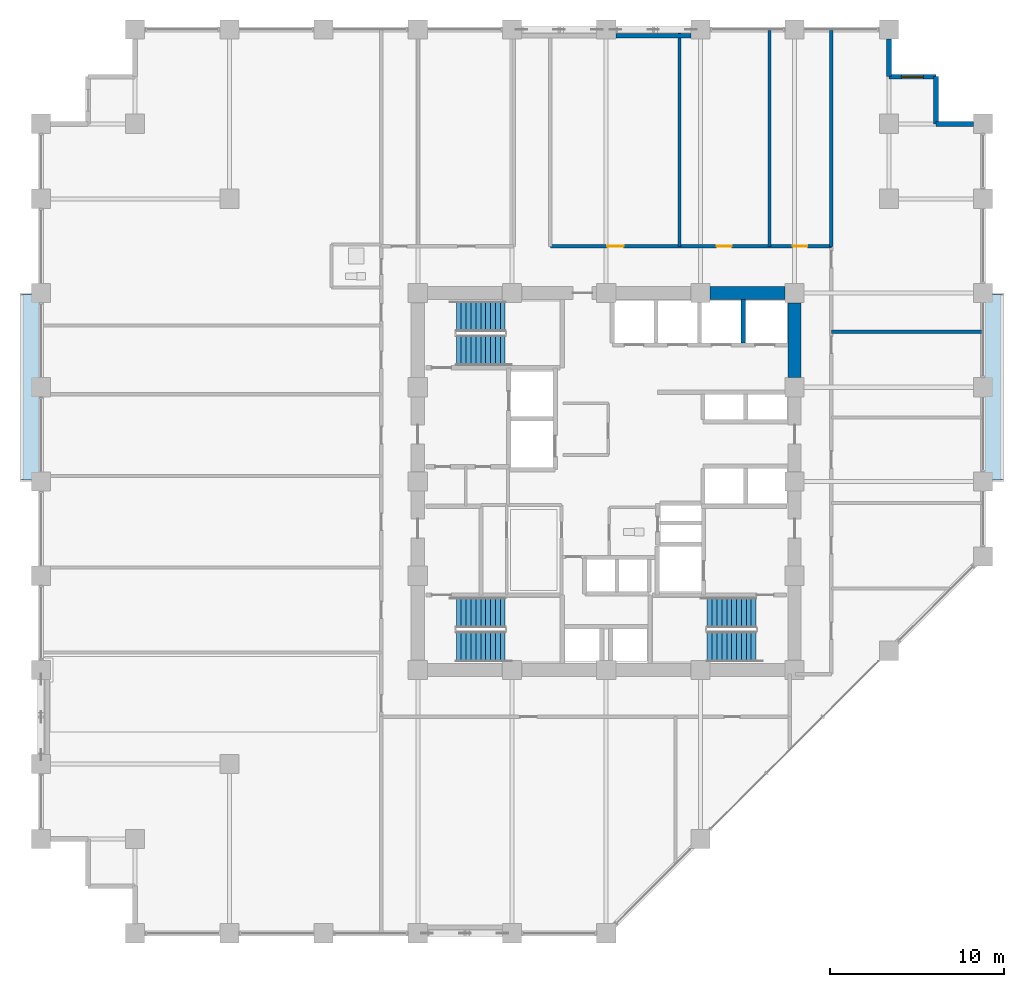
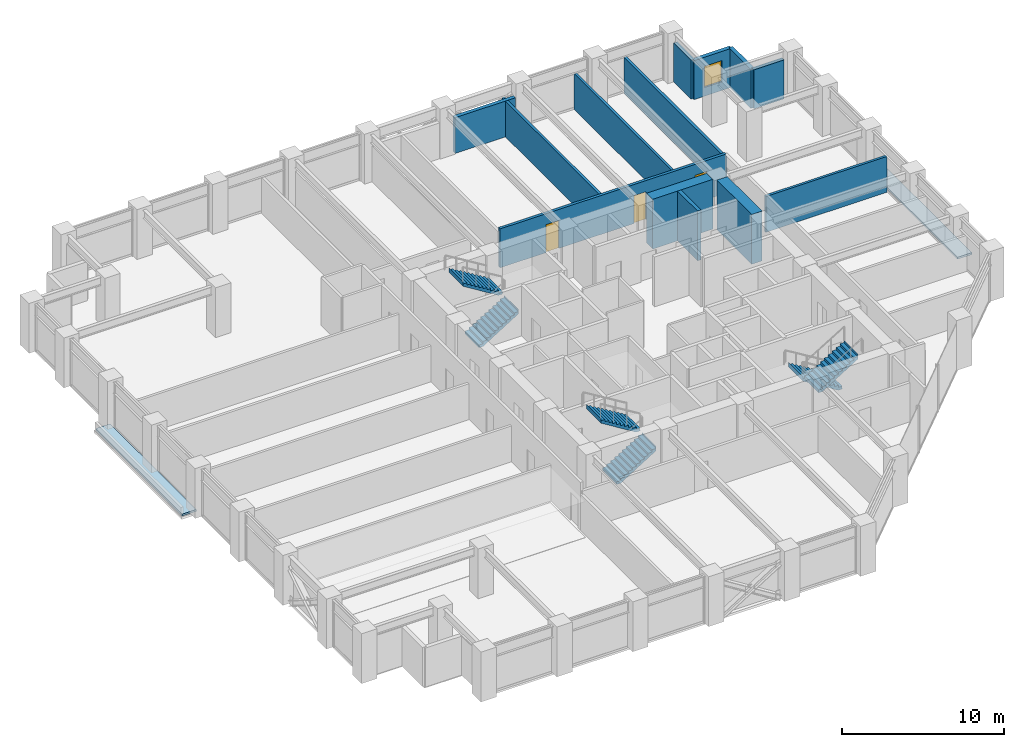
# One storey, part 21 of 24: 13 walls, 6 stair flights, 3 doors, 2 roofs, 1 window, 4 openings, 3 elements without a shape of their own.
"""IFC4 building model written with IfcOpenShell, lengths in metres."""

from ifc_helpers import new_model, si_unit, direction, frame, frame_2d, origin, place, context, subcontext, project, spatial, polyline, rectangle, outline, extrude, material, layer, layer_set, type_object, element, fill, aggregate, save


model = new_model("IFC4")

# Units and contexts
model_context = context("Model", 3, precision=1e-05, world=origin(), true_north=direction((0.0, 1.0)))
body_context = subcontext(model_context, "Body", "Model", "MODEL_VIEW")
ifc_project = project(units=[si_unit("LENGTHUNIT", "METRE"), si_unit("AREAUNIT", "SQUARE_METRE"), si_unit("VOLUMEUNIT", "CUBIC_METRE"), si_unit("PLANEANGLEUNIT", "RADIAN"), si_unit("MASSUNIT", "GRAM", prefix="KILO")], contexts=[model_context])

# Site, building, storey
site_placement = place(None, origin())
site = spatial("IfcSite", under=ifc_project, at=site_placement, CompositionType="ELEMENT")
building_placement = place(site_placement, origin())
building = spatial("IfcBuilding", under=site, at=building_placement, Name="Surkhivell Harbour Commons", CompositionType="ELEMENT")
storey_placement = place(building_placement, frame((0.0, 0.0, 105.75)))
storey = spatial("IfcBuildingStorey", under=building, at=storey_placement, Name="L27", CompositionType="ELEMENT", Elevation=105.75)

# Walls
ifc_material_1 = material(Name="Concrete C60/75", Category="concrete")
ifc_layer_1 = layer(ifc_material_1, 0.75)
ifc_layer_set_1 = layer_set([ifc_layer_1], Name="Concrete C60/75")
wall_type_1 = type_object("IfcWallType", Name="WAL-CORE-750", PredefinedType="SHEAR", material=ifc_layer_set_1)
for number, where, z_axis, x_axis, name in (
    (1, (5.9599609375, 10.800048828125, 0.0), (0.0, 0.0, 1.0), (1.0, 0.0, 0.0), "L27 Core Shear Wall North 4"),
    (2, (10.800048828125, 5.9599609375, 0.0), (0.0, 0.0, 1.0), (0.0, 1.0, 0.0), "L27 Core Shear Wall East 4"),
):
    element("IfcWall", number, at=place(storey_placement, frame(where, z_axis=z_axis, x_axis=x_axis)), inside=storey, type_object=wall_type_1, Name=name, PredefinedType="SHEAR", context=body_context, shape_type="SweptSolid", body=[
        extrude(rectangle(XDim=4.280029296875, YDim=0.75, at=frame_2d((2.14013671875, 0.0))), origin(), (0.0, 0.0, 1.0), 3.75),
    ])
ifc_material_2 = material(Name="Pale-metal insulated precast concrete C45/55", Category="concrete")
ifc_layer_2 = layer(ifc_material_2, 0.260009765625)
ifc_layer_set_2 = layer_set([ifc_layer_2], Name="Pale-metal insulated precast concrete C45/55")
wall_type_2 = type_object("IfcWallType", Name="WAL-EXT-MTL260", PredefinedType="STANDARD", material=ifc_layer_set_2)
wall_1_placement = place(storey_placement, frame((4.85205078125, 25.5400390625, 0.0), z_axis=(0.0, 0.0, 1.0), x_axis=(-1.0, 0.0, 0.0)))
element("IfcWall", 3, at=wall_1_placement, inside=storey, type_object=wall_type_2, Name="L27 Braced-Bay Insulated Spandrel Backing N2", PredefinedType="STANDARD", context=body_context, shape_type="SweptSolid", body=[
    extrude(rectangle(XDim=4.303955078125, YDim=0.260009765625, at=frame_2d((2.15185546875, 0.0))), origin(), (0.0, 0.0, 1.0), 2.698974609375),
])
ifc_material_3 = material(Name="Terracotta-clad reinforced concrete C45/55", Category="masonry")
ifc_layer_3 = layer(ifc_material_3, 0.280029296875)
ifc_layer_set_3 = layer_set([ifc_layer_3], Name="Terracotta-clad reinforced concrete C45/55")
wall_type_3 = type_object("IfcWallType", Name="WAL-EXT-TER280", PredefinedType="STANDARD", material=ifc_layer_set_3)
wall_2_placement = place(storey_placement, frame((21.052001953125, 20.5, 0.0), z_axis=(0.0, 0.0, 1.0), x_axis=(-1.0, 0.0, 0.0)))
element("IfcWall", 4, at=wall_2_placement, inside=storey, type_object=wall_type_3, Name="L27 Serrated Corner Facade Wall 03", PredefinedType="STANDARD", context=body_context, shape_type="SweptSolid", body=[
    extrude(rectangle(XDim=2.152099609375, YDim=0.280029296875, at=frame_2d((1.076171875, 0.0))), origin(), (0.0, 0.0, 1.0), 2.93310546875),
])
wall_3_placement = place(storey_placement, frame((18.89990234375, 20.5, 0.0), z_axis=(0.0, 0.0, 1.0), x_axis=(0.0, 1.0, 0.0)))
element("IfcWall", 5, at=wall_3_placement, inside=storey, type_object=wall_type_3, Name="L27 Serrated Corner Facade Wall 04", PredefinedType="STANDARD", context=body_context, shape_type="SweptSolid", body=[
    extrude(rectangle(XDim=2.699951171875, YDim=0.280029296875, at=frame_2d((1.35009765625, 0.0))), origin(), (0.0, 0.0, 1.0), 2.93310546875),
])

# Wall, opening, window
wall_4_placement = place(storey_placement, frame((18.89990234375, 23.199951171875, 0.0), z_axis=(0.0, 0.0, 1.0), x_axis=(-1.0, 0.0, 0.0)))
wall_4 = element("IfcWall", 6, at=wall_4_placement, inside=storey, type_object=wall_type_3, Name="L27 Serrated Corner Facade Wall 05", PredefinedType="STANDARD", context=body_context, shape_type="SweptSolid", body=[
    extrude(rectangle(XDim=2.699951171875, YDim=0.280029296875, at=frame_2d((1.35009765625, 0.0))), origin(), (0.0, 0.0, 1.0), 2.93310546875),
])
opening_1_placement = place(wall_4_placement, frame((0.72509765625, 0.0, 0.64990234375)))
opening_1 = element("IfcOpeningElement", 7, at=opening_1_placement, cuts=wall_4, Name="Opening WN-09", PredefinedType="OPENING", context=body_context, shape_type="SweptSolid", body=[
    extrude(rectangle(XDim=1.25, YDim=1.60009765625, at=frame_2d((0.625, 0.800048828125))), frame((0.0, 0.14990234375, 0.0), z_axis=(0.0, -1.0, 0.0), x_axis=(1.0, 0.0, 0.0)), (0.0, 0.0, 1.0), 0.300048828125),
])
ifc_material_4 = material(Name="Thermal-break aluminium frame and double low-E glazing", Category="aluminium")
window_type = type_object("IfcWindowType", Name="WIN-SER-1250x1600", PartitioningType="SINGLE_PANEL", PredefinedType="WINDOW", material=ifc_material_4)
window_placement = place(opening_1_placement, origin())
window = element("IfcWindow", 8, at=window_placement, inside=storey, type_object=window_type, Name="L27 Serrated Alcove Window 05", OverallHeight=1.60009765625, OverallWidth=1.25, PartitioningType="SINGLE_PANEL", PredefinedType="WINDOW", context=body_context, shape_type="SweptSolid", body=[
    extrude(rectangle(XDim=1.25, YDim=1.60009765625, at=frame_2d((0.625, 0.800048828125))), frame((0.0, 0.030029296875, 0.0), z_axis=(0.0, -1.0, 0.0), x_axis=(1.0, 0.0, 0.0)), (0.0, 0.0, 1.0), 0.06005859375),
])
fill(opening_1, window)

# Walls
wall_5_placement = place(storey_placement, frame((16.199951171875, 23.199951171875, 0.0), z_axis=(0.0, 0.0, 1.0), x_axis=(0.0, 1.0, 0.0)))
element("IfcWall", 9, at=wall_5_placement, inside=storey, type_object=wall_type_3, Name="L27 Serrated Corner Facade Wall 06", PredefinedType="STANDARD", context=body_context, shape_type="SweptSolid", body=[
    extrude(rectangle(XDim=2.152099609375, YDim=0.280029296875, at=frame_2d((1.076171875, 0.0))), origin(), (0.0, 0.0, 1.0), 2.93310546875),
])
ifc_material_5 = material(Name="High-density acoustic blockwork fire partition", Category="masonry")
ifc_layer_4 = layer(ifc_material_5, 0.175048828125)
ifc_layer_set_4 = layer_set([ifc_layer_4], Name="High-density acoustic blockwork fire partition")
wall_type_4 = type_object("IfcWallType", Name="WAL-INT-175", PredefinedType="PARTITIONING", material=ifc_layer_set_4)
wall_6_placement = place(storey_placement, frame((12.89990234375, 8.580078125, 0.0), z_axis=(0.0, 0.0, 1.0), x_axis=(1.0, 0.0, 0.0)))
element("IfcWall", 10, at=wall_6_placement, inside=storey, type_object=wall_type_4, Name="L27 East Partition P4", PredefinedType="PARTITIONING", context=body_context, shape_type="SweptSolid", body=[
    extrude(rectangle(XDim=8.64013671875, YDim=0.175048828125, at=frame_2d((4.320068359375, 0.0))), origin(), (0.0, 0.0, 1.0), 2.698974609375),
])
for number, where, z_axis, x_axis, name in (
    (11, (4.2099609375, 13.47998046875, 0.0), (0.0, 0.0, 1.0), (0.0, 1.0, 0.0), "L27 North-East Partition P1"),
    (12, (9.360107421875, 13.47998046875, 0.0), (0.0, 0.0, 1.0), (0.0, 1.0, 0.0), "L27 North-East Partition P2"),
):
    element("IfcWall", number, at=place(storey_placement, frame(where, z_axis=z_axis, x_axis=x_axis)), inside=storey, type_object=wall_type_4, Name=name, PredefinedType="PARTITIONING", context=body_context, shape_type="SweptSolid", body=[
        extrude(rectangle(XDim=12.360107421875, YDim=0.175048828125, at=frame_2d((6.18017578125, 0.0))), origin(), (0.0, 0.0, 1.0), 2.698974609375),
    ])
ifc_material_6 = material(Name="Autoclaved aerated concrete blockwork and fire plaster", Category="masonry")
ifc_layer_5 = layer(ifc_material_6, 0.199951171875)
ifc_layer_set_5 = layer_set([ifc_layer_5], Name="Autoclaved aerated concrete blockwork and fire plaster")
wall_type_5 = type_object("IfcWallType", Name="WAL-INT-200", PredefinedType="PARTITIONING", material=ifc_layer_set_5)
wall_7_placement = place(storey_placement, frame((12.89990234375, 13.47998046875, 0.0), z_axis=(0.0, 0.0, 1.0), x_axis=(0.0, 1.0, 0.0)))
element("IfcWall", 13, at=wall_7_placement, inside=storey, type_object=wall_type_5, Name="L27 North-East Wing Corner Divider", PredefinedType="PARTITIONING", context=body_context, shape_type="SweptSolid", body=[
    extrude(rectangle(XDim=12.360107421875, YDim=0.199951171875, at=frame_2d((6.18017578125, 0.0))), origin(), (0.0, 0.0, 1.0), 2.698974609375),
])

# Wall, openings, doors
wall_8_placement = place(storey_placement, frame((-3.199951171875, 13.47998046875, 0.0), z_axis=(0.0, 0.0, 1.0), x_axis=(1.0, 0.0, 0.0)))
wall_8 = element("IfcWall", 14, at=wall_8_placement, inside=storey, type_object=wall_type_5, Name="L27 Corridor North-East Wall", PredefinedType="PARTITIONING", context=body_context, shape_type="SweptSolid", body=[
    extrude(rectangle(XDim=16.099853515625, YDim=0.199951171875, at=frame_2d((8.0498046875, 0.0))), origin(), (0.0, 0.0, 1.0), 2.93310546875),
])
opening_2_placement = place(wall_8_placement, frame((3.2548828125, 0.0, 0.0)))
opening_2 = element("IfcOpeningElement", 15, at=opening_2_placement, cuts=wall_8, Name="Opening ID-4", PredefinedType="OPENING", context=body_context, shape_type="SweptSolid", body=[
    extrude(rectangle(XDim=0.949951171875, YDim=2.10009765625, at=frame_2d((0.47509765625, 1.050048828125))), frame((0.0, 0.10986328125, 0.0), z_axis=(0.0, -1.0, 0.0), x_axis=(1.0, 0.0, 0.0)), (0.0, 0.0, 1.0), 0.219970703125),
])
opening_3_placement = place(wall_8_placement, frame((9.534912109375, 0.0, 0.0)))
opening_3 = element("IfcOpeningElement", 16, at=opening_3_placement, cuts=wall_8, Name="Opening ID-6", PredefinedType="OPENING", context=body_context, shape_type="SweptSolid", body=[
    extrude(rectangle(XDim=0.85009765625, YDim=2.10009765625, at=frame_2d((0.425048828125, 1.050048828125))), frame((0.0, 0.10986328125, 0.0), z_axis=(0.0, -1.0, 0.0), x_axis=(1.0, 0.0, 0.0)), (0.0, 0.0, 1.0), 0.219970703125),
])
opening_4_placement = place(wall_8_placement, frame((13.8798828125, 0.0, 0.0)))
opening_4 = element("IfcOpeningElement", 17, at=opening_4_placement, cuts=wall_8, Name="Opening ID-6", PredefinedType="OPENING", context=body_context, shape_type="SweptSolid", body=[
    extrude(rectangle(XDim=0.85009765625, YDim=2.10009765625, at=frame_2d((0.425048828125, 1.050048828125))), frame((0.0, 0.10986328125, 0.0), z_axis=(0.0, -1.0, 0.0), x_axis=(1.0, 0.0, 0.0)), (0.0, 0.0, 1.0), 0.219970703125),
])
ifc_material_7 = material(Name="Hardwood-veneered fire-rated door leaf", Category="wood")
door_type_1 = type_object("IfcDoorType", Name="DOR-FD30-850", OperationType="NOTDEFINED", PredefinedType="DOOR", material=ifc_material_7)
door_1_placement = place(opening_3_placement, origin())
door_1 = element("IfcDoor", 18, at=door_1_placement, inside=storey, type_object=door_type_1, Name="L27 Resident Social Lounge 2 North-East Door", OperationType="SINGLE_SWING_LEFT", OverallHeight=2.10009765625, OverallWidth=0.85009765625, PredefinedType="DOOR", context=body_context, shape_type="SweptSolid", body=[
    extrude(rectangle(XDim=0.85009765625, YDim=2.10009765625, at=frame_2d((0.425048828125, 1.050048828125))), frame((0.0, 0.02490234375, 0.0), z_axis=(0.0, -1.0, 0.0), x_axis=(1.0, 0.0, 0.0)), (0.0, 0.0, 1.0), 0.050048828125),
])
fill(opening_3, door_1)
door_2_placement = place(opening_4_placement, origin())
door_2 = element("IfcDoor", 19, at=door_2_placement, inside=storey, type_object=door_type_1, Name="L27 Resident Social Lounge 3 North-East Door", OperationType="SINGLE_SWING_RIGHT", OverallHeight=2.10009765625, OverallWidth=0.85009765625, PredefinedType="DOOR", context=body_context, shape_type="SweptSolid", body=[
    extrude(rectangle(XDim=0.85009765625, YDim=2.10009765625, at=frame_2d((0.425048828125, 1.050048828125))), frame((0.0, 0.02490234375, 0.0), z_axis=(0.0, -1.0, 0.0), x_axis=(1.0, 0.0, 0.0)), (0.0, 0.0, 1.0), 0.050048828125),
])
fill(opening_4, door_2)
door_type_2 = type_object("IfcDoorType", Name="DOR-FD60-950", OperationType="NOTDEFINED", PredefinedType="DOOR", material=ifc_material_7)
door_3_placement = place(opening_2_placement, origin())
door_3 = element("IfcDoor", 20, at=door_3_placement, inside=storey, type_object=door_type_2, Name="L27 Harbour Social Lounge North-East Door", OperationType="SINGLE_SWING_RIGHT", OverallHeight=2.10009765625, OverallWidth=0.949951171875, PredefinedType="DOOR", context=body_context, shape_type="SweptSolid", body=[
    extrude(rectangle(XDim=0.949951171875, YDim=2.10009765625, at=frame_2d((0.47509765625, 1.050048828125))), frame((0.0, 0.02490234375, 0.0), z_axis=(0.0, -1.0, 0.0), x_axis=(1.0, 0.0, 0.0)), (0.0, 0.0, 1.0), 0.050048828125),
])
fill(opening_2, door_3)

# Wall
ifc_material_8 = material(Name="Concrete C50/60", Category="concrete")
ifc_layer_6 = layer(ifc_material_8, 0.25)
ifc_layer_set_6 = layer_set([ifc_layer_6], Name="Concrete C50/60")
wall_type_6 = type_object("IfcWallType", Name="WAL-SHAFT-250", PredefinedType="SHEAR", material=ifc_layer_set_6)
wall_9_placement = place(storey_placement, frame((7.85009765625, 7.93994140625, 0.0), z_axis=(0.0, 0.0, 1.0), x_axis=(0.0, 1.0, 0.0)))
element("IfcWall", 21, at=wall_9_placement, inside=storey, type_object=wall_type_6, Name="L27 Low-Rise Hoistway Wall", PredefinedType="SHEAR", context=body_context, shape_type="SweptSolid", body=[
    extrude(rectangle(XDim=2.485107421875, YDim=0.25, at=frame_2d((1.24267578125, 0.0))), origin(), (0.0, 0.0, 1.0), 3.75),
])

# Stair, stair flights
ifc_material_9 = material(Name="Precast concrete C45/55", Category="concrete")
stair_type = type_object("IfcStairType", Name="STR-DL-375", PredefinedType="HALF_TURN_STAIR", material=ifc_material_9)
stair_1_placement = place(storey_placement, origin())
stair_1 = element("IfcStair", 22, at=stair_1_placement, inside=storey, type_object=stair_type, Name="L27 Core Exit Stair ST1", PredefinedType="HALF_TURN_STAIR")
stair_flight_type = type_object("IfcStairFlightType", Name="STF-DL-375", PredefinedType="STRAIGHT", material=ifc_material_9)
stair_flight_1_placement = place(storey_placement, frame((-8.590087890625, 7.514892578125, 0.0), z_axis=(0.0, 0.0, 1.0), x_axis=(1.0, 0.0, 0.0)))
stair_flight_1 = element("IfcStairFlight", 23, at=stair_flight_1_placement, type_object=stair_flight_type, Name="ST1 flight 1", NumberOfRisers=11, NumberOfTreads=10, PredefinedType="STRAIGHT", RiserHeight=0.170454545, TreadLength=0.28, context=body_context, shape_type="SweptSolid", body=[
    extrude(outline(polyline([(-0.0029296875, -0.034912109375), (-0.0029296875, 0.0), (0.0, 0.0), (0.0, 0.17041015625), (0.280029296875, 0.17041015625), (0.280029296875, 0.3408203125), (0.56005859375, 0.3408203125), (0.56005859375, 0.511474609375), (0.840087890625, 0.511474609375), (0.840087890625, 0.681884765625), (1.1201171875, 0.681884765625), (1.1201171875, 0.852294921875), (1.39990234375, 0.852294921875), (1.39990234375, 1.022705078125), (1.679931640625, 1.022705078125), (1.679931640625, 1.193115234375), (1.9599609375, 1.193115234375), (1.9599609375, 1.363525390625), (2.239990234375, 1.363525390625), (2.239990234375, 1.5341796875), (2.52001953125, 1.5341796875), (2.52001953125, 1.70458984375), (2.800048828125, 1.70458984375), (2.800048828125, 1.875), (2.802978515625, 1.875), (2.802978515625, 1.529052734375), (0.288330078125, -0.034912109375), (-0.0029296875, -0.034912109375)])), frame((0.0, 0.875, 0.0), z_axis=(0.0, -1.0, 0.0), x_axis=(1.0, 0.0, 0.0)), (0.0, 0.0, 1.0), 1.75),
])
stair_flight_2_placement = place(storey_placement, frame((-5.7900390625, 9.465087890625, 1.875), z_axis=(0.0, 0.0, 1.0), x_axis=(-1.0, 0.0, 0.0)))
stair_flight_2 = element("IfcStairFlight", 24, at=stair_flight_2_placement, type_object=stair_flight_type, Name="ST1 flight 2", NumberOfRisers=11, NumberOfTreads=10, PredefinedType="STRAIGHT", RiserHeight=0.170454545, TreadLength=0.28, context=body_context, shape_type="SweptSolid", body=[
    extrude(outline(polyline([(-0.0029296875, -0.034912109375), (-0.0029296875, 0.0), (0.0, 0.0), (0.0, 0.17041015625), (0.280029296875, 0.17041015625), (0.280029296875, 0.3408203125), (0.56005859375, 0.3408203125), (0.56005859375, 0.511474609375), (0.840087890625, 0.511474609375), (0.840087890625, 0.681884765625), (1.1201171875, 0.681884765625), (1.1201171875, 0.852294921875), (1.39990234375, 0.852294921875), (1.39990234375, 1.022705078125), (1.679931640625, 1.022705078125), (1.679931640625, 1.193115234375), (1.9599609375, 1.193115234375), (1.9599609375, 1.363525390625), (2.239990234375, 1.363525390625), (2.239990234375, 1.5341796875), (2.52001953125, 1.5341796875), (2.52001953125, 1.70458984375), (2.800048828125, 1.70458984375), (2.800048828125, 1.875), (2.802978515625, 1.875), (2.802978515625, 1.529052734375), (0.288330078125, -0.034912109375), (-0.0029296875, -0.034912109375)])), frame((0.0, 0.875, 0.0), z_axis=(0.0, -1.0, 0.0), x_axis=(1.0, 0.0, 0.0)), (0.0, 0.0, 1.0), 1.75),
])
aggregate(stair_1, [stair_flight_1, stair_flight_2])

stair_2_placement = place(storey_placement, origin())
stair_2 = element("IfcStair", 25, at=stair_2_placement, inside=storey, type_object=stair_type, Name="L27 Core Exit Stair ST2", PredefinedType="HALF_TURN_STAIR")
stair_flight_3_placement = place(storey_placement, frame((8.590087890625, -7.514892578125, 0.0), z_axis=(0.0, 0.0, 1.0), x_axis=(-1.0, 0.0, 0.0)))
stair_flight_3 = element("IfcStairFlight", 26, at=stair_flight_3_placement, type_object=stair_flight_type, Name="ST2 flight 1", NumberOfRisers=11, NumberOfTreads=10, PredefinedType="STRAIGHT", RiserHeight=0.170454545, TreadLength=0.28, context=body_context, shape_type="SweptSolid", body=[
    extrude(outline(polyline([(-0.0029296875, -0.034912109375), (-0.0029296875, 0.0), (0.0, 0.0), (0.0, 0.17041015625), (0.280029296875, 0.17041015625), (0.280029296875, 0.3408203125), (0.56005859375, 0.3408203125), (0.56005859375, 0.511474609375), (0.840087890625, 0.511474609375), (0.840087890625, 0.681884765625), (1.1201171875, 0.681884765625), (1.1201171875, 0.852294921875), (1.39990234375, 0.852294921875), (1.39990234375, 1.022705078125), (1.679931640625, 1.022705078125), (1.679931640625, 1.193115234375), (1.9599609375, 1.193115234375), (1.9599609375, 1.363525390625), (2.239990234375, 1.363525390625), (2.239990234375, 1.5341796875), (2.52001953125, 1.5341796875), (2.52001953125, 1.70458984375), (2.800048828125, 1.70458984375), (2.800048828125, 1.875), (2.802978515625, 1.875), (2.802978515625, 1.529052734375), (0.288330078125, -0.034912109375), (-0.0029296875, -0.034912109375)])), frame((0.0, 0.875, 0.0), z_axis=(0.0, -1.0, 0.0), x_axis=(1.0, 0.0, 0.0)), (0.0, 0.0, 1.0), 1.75),
])
stair_flight_4_placement = place(storey_placement, frame((5.7900390625, -9.465087890625, 1.875), z_axis=(0.0, 0.0, 1.0), x_axis=(1.0, 0.0, 0.0)))
stair_flight_4 = element("IfcStairFlight", 27, at=stair_flight_4_placement, type_object=stair_flight_type, Name="ST2 flight 2", NumberOfRisers=11, NumberOfTreads=10, PredefinedType="STRAIGHT", RiserHeight=0.170454545, TreadLength=0.28, context=body_context, shape_type="SweptSolid", body=[
    extrude(outline(polyline([(-0.0029296875, -0.034912109375), (-0.0029296875, 0.0), (0.0, 0.0), (0.0, 0.17041015625), (0.280029296875, 0.17041015625), (0.280029296875, 0.3408203125), (0.56005859375, 0.3408203125), (0.56005859375, 0.511474609375), (0.840087890625, 0.511474609375), (0.840087890625, 0.681884765625), (1.1201171875, 0.681884765625), (1.1201171875, 0.852294921875), (1.39990234375, 0.852294921875), (1.39990234375, 1.022705078125), (1.679931640625, 1.022705078125), (1.679931640625, 1.193115234375), (1.9599609375, 1.193115234375), (1.9599609375, 1.363525390625), (2.239990234375, 1.363525390625), (2.239990234375, 1.5341796875), (2.52001953125, 1.5341796875), (2.52001953125, 1.70458984375), (2.800048828125, 1.70458984375), (2.800048828125, 1.875), (2.802978515625, 1.875), (2.802978515625, 1.529052734375), (0.288330078125, -0.034912109375), (-0.0029296875, -0.034912109375)])), frame((0.0, 0.875, 0.0), z_axis=(0.0, -1.0, 0.0), x_axis=(1.0, 0.0, 0.0)), (0.0, 0.0, 1.0), 1.75),
])
aggregate(stair_2, [stair_flight_3, stair_flight_4])

stair_3_placement = place(storey_placement, origin())
stair_3 = element("IfcStair", 28, at=stair_3_placement, inside=storey, type_object=stair_type, Name="L27 Core Exit Stair ST3", PredefinedType="HALF_TURN_STAIR")
stair_flight_5_placement = place(storey_placement, frame((-8.590087890625, -9.465087890625, 0.0), z_axis=(0.0, 0.0, 1.0), x_axis=(1.0, 0.0, 0.0)))
stair_flight_5 = element("IfcStairFlight", 29, at=stair_flight_5_placement, type_object=stair_flight_type, Name="ST3 flight 1", NumberOfRisers=11, NumberOfTreads=10, PredefinedType="STRAIGHT", RiserHeight=0.170454545, TreadLength=0.28, context=body_context, shape_type="SweptSolid", body=[
    extrude(outline(polyline([(-0.0029296875, -0.034912109375), (-0.0029296875, 0.0), (0.0, 0.0), (0.0, 0.17041015625), (0.280029296875, 0.17041015625), (0.280029296875, 0.3408203125), (0.56005859375, 0.3408203125), (0.56005859375, 0.511474609375), (0.840087890625, 0.511474609375), (0.840087890625, 0.681884765625), (1.1201171875, 0.681884765625), (1.1201171875, 0.852294921875), (1.39990234375, 0.852294921875), (1.39990234375, 1.022705078125), (1.679931640625, 1.022705078125), (1.679931640625, 1.193115234375), (1.9599609375, 1.193115234375), (1.9599609375, 1.363525390625), (2.239990234375, 1.363525390625), (2.239990234375, 1.5341796875), (2.52001953125, 1.5341796875), (2.52001953125, 1.70458984375), (2.800048828125, 1.70458984375), (2.800048828125, 1.875), (2.802978515625, 1.875), (2.802978515625, 1.529052734375), (0.288330078125, -0.034912109375), (-0.0029296875, -0.034912109375)])), frame((0.0, 0.875, 0.0), z_axis=(0.0, -1.0, 0.0), x_axis=(1.0, 0.0, 0.0)), (0.0, 0.0, 1.0), 1.75),
])
stair_flight_6_placement = place(storey_placement, frame((-5.7900390625, -7.514892578125, 1.875), z_axis=(0.0, 0.0, 1.0), x_axis=(-1.0, 0.0, 0.0)))
stair_flight_6 = element("IfcStairFlight", 30, at=stair_flight_6_placement, type_object=stair_flight_type, Name="ST3 flight 2", NumberOfRisers=11, NumberOfTreads=10, PredefinedType="STRAIGHT", RiserHeight=0.170454545, TreadLength=0.28, context=body_context, shape_type="SweptSolid", body=[
    extrude(outline(polyline([(-0.0029296875, -0.034912109375), (-0.0029296875, 0.0), (0.0, 0.0), (0.0, 0.17041015625), (0.280029296875, 0.17041015625), (0.280029296875, 0.3408203125), (0.56005859375, 0.3408203125), (0.56005859375, 0.511474609375), (0.840087890625, 0.511474609375), (0.840087890625, 0.681884765625), (1.1201171875, 0.681884765625), (1.1201171875, 0.852294921875), (1.39990234375, 0.852294921875), (1.39990234375, 1.022705078125), (1.679931640625, 1.022705078125), (1.679931640625, 1.193115234375), (1.9599609375, 1.193115234375), (1.9599609375, 1.363525390625), (2.239990234375, 1.363525390625), (2.239990234375, 1.5341796875), (2.52001953125, 1.5341796875), (2.52001953125, 1.70458984375), (2.800048828125, 1.70458984375), (2.800048828125, 1.875), (2.802978515625, 1.875), (2.802978515625, 1.529052734375), (0.288330078125, -0.034912109375), (-0.0029296875, -0.034912109375)])), frame((0.0, 0.875, 0.0), z_axis=(0.0, -1.0, 0.0), x_axis=(1.0, 0.0, 0.0)), (0.0, 0.0, 1.0), 1.75),
])
aggregate(stair_3, [stair_flight_5, stair_flight_6])

# Roofs
ifc_material_10 = material(Name="Vermilion-coral and saffron enamelled aluminium box roof cap", Category="aluminium")
ifc_layer_7 = layer(ifc_material_10, 0.139892578125)
ifc_layer_set_7 = layer_set([ifc_layer_7], Name="Vermilion-coral and saffron enamelled aluminium box roof cap")
roof_type = type_object("IfcRoofType", Name="ROF-BOX-CAP", PredefinedType="FLAT_ROOF", material=ifc_layer_set_7)
roof_1_placement = place(storey_placement, origin())
element("IfcRoof", 31, at=roof_1_placement, inside=storey, type_object=roof_type, Name="L27 Closed Coloured Box Roof Cap 1-1", PredefinedType="FLAT_ROOF", context=body_context, shape_type="SweptSolid", body=[
    extrude(outline(polyline([(21.699951171875, 10.719970703125), (21.699951171875, 0.080078125), (22.719970703125, 0.080078125), (22.719970703125, 10.719970703125), (21.699951171875, 10.719970703125)])), origin(), (0.0, 0.0, 1.0), 0.139892578125),
])
roof_2_placement = place(storey_placement, origin())
element("IfcRoof", 32, at=roof_2_placement, inside=storey, type_object=roof_type, Name="L27 Closed Coloured Box Roof Cap 2-1", PredefinedType="FLAT_ROOF", context=body_context, shape_type="SweptSolid", body=[
    extrude(outline(polyline([(-32.5, 0.080078125), (-32.5, 10.719970703125), (-33.52001953125, 10.719970703125), (-33.52001953125, 0.080078125), (-32.5, 0.080078125)])), origin(), (0.0, 0.0, 1.0), 0.139892578125),
])

save(model, "model.ifc")
